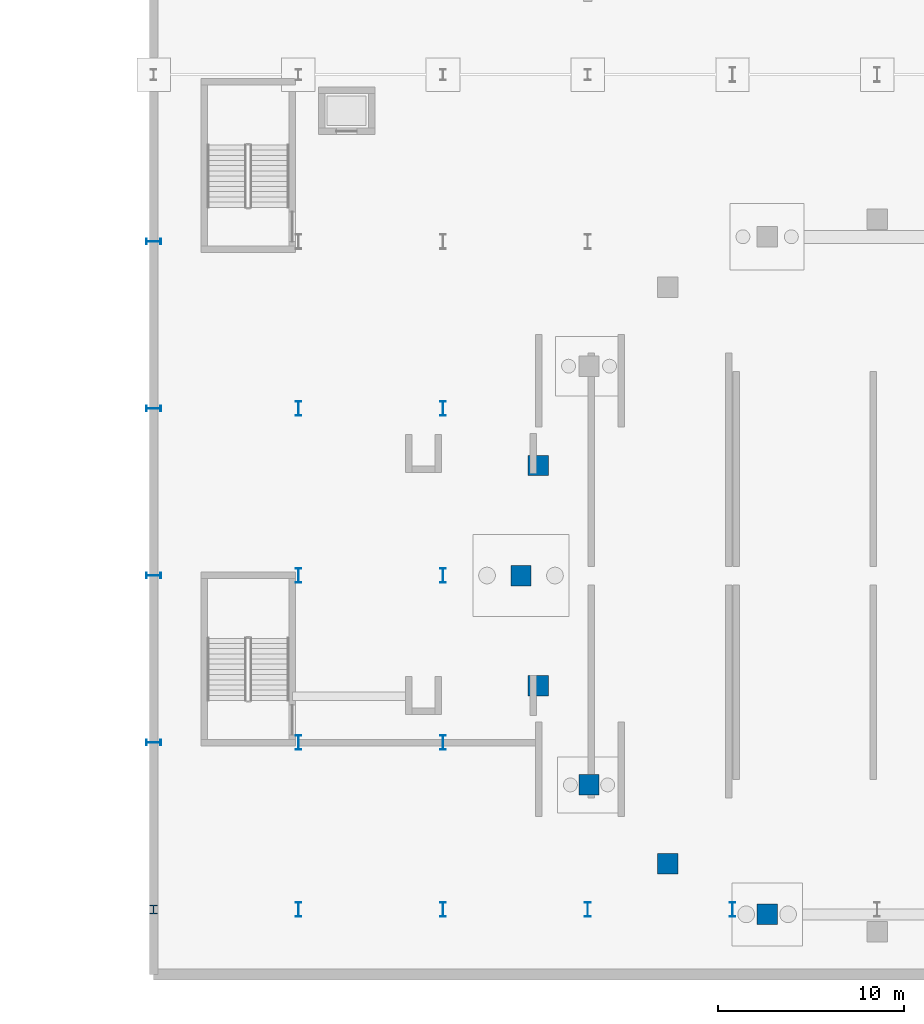
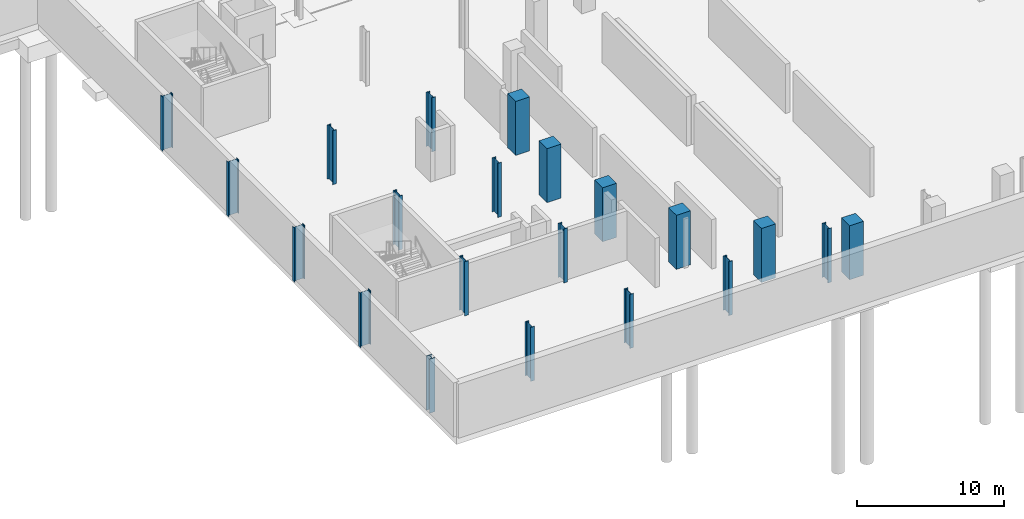
# One storey, part 4 of 45: 21 columns.
"""IFC4 building model written with IfcOpenShell, lengths in metres."""

from ifc_helpers import new_model, si_unit, direction, frame, origin, origin_2d, place, context, subcontext, project, spatial, rectangle, i_section, extrude, material, material_profile, profile_set, type_object, element, save


model = new_model("IFC4")

# Units and contexts
model_context = context("Model", 3, precision=1e-05, world=origin(), true_north=direction((0.0, 1.0)))
body_context = subcontext(model_context, "Body", "Model", "MODEL_VIEW")
ifc_project = project(units=[si_unit("LENGTHUNIT", "METRE"), si_unit("AREAUNIT", "SQUARE_METRE"), si_unit("VOLUMEUNIT", "CUBIC_METRE"), si_unit("PLANEANGLEUNIT", "RADIAN"), si_unit("MASSUNIT", "GRAM", prefix="KILO")], contexts=[model_context])

# Site, building, storey
site_placement = place(None, origin())
site = spatial("IfcSite", under=ifc_project, at=site_placement, CompositionType="ELEMENT")
building_placement = place(site_placement, origin())
building = spatial("IfcBuilding", under=site, at=building_placement, Name="Sefraquen Railside Congress Hotel", CompositionType="ELEMENT")
storey_placement = place(building_placement, frame((0.0, 0.0, -4.5)))
storey = spatial("IfcBuildingStorey", under=building, at=storey_placement, Name="B01", CompositionType="ELEMENT", Elevation=-4.5)

# Columns
ifc_material_1 = material(Name="Steel S355J2", Category="steel")
ifc_material_profile_1 = material_profile(ifc_material_1, i_section(OverallWidth=0.424072265625, OverallDepth=0.47412109375, WebThickness=0.044921875, FlangeThickness=0.054931640625, FilletRadius=0.014892578125, at=origin_2d()), Name="HD 400x634")
ifc_profile_set_1 = profile_set([ifc_material_profile_1], Name="Steel S355J2")
column_type_1 = type_object("IfcColumnType", Name="TC-HD-634", PredefinedType="COLUMN", material=ifc_profile_set_1)
column_placement = place(storey_placement, frame((25.199951171875, 9.0, 0.0), z_axis=(0.0, 0.0, 1.0), x_axis=(1.0, 0.0, 0.0)))
element("IfcColumn", 1, at=column_placement, inside=storey, type_object=column_type_1, Name="Structural column 4-B B01", PredefinedType="COLUMN", context=body_context, shape_type="SweptSolid", body=[
    extrude(i_section(OverallWidth=0.424072265625, OverallDepth=0.47412109375, WebThickness=0.044921875, FlangeThickness=0.054931640625, FilletRadius=0.014892578125, at=origin_2d()), origin(), (0.0, 0.0, 1.0), 4.5),
])
ifc_material_2 = material(Name="Steel S355JR", Category="steel")
ifc_material_profile_2 = material_profile(ifc_material_2, i_section(OverallWidth=0.300048828125, OverallDepth=0.800048828125, WebThickness=0.017578125, FlangeThickness=0.032958984375, FilletRadius=0.030029296875, at=origin_2d()), Name="HEB 800")
ifc_profile_set_2 = profile_set([ifc_material_profile_2], Name="Steel S355JR")
column_type_2 = type_object("IfcColumnType", Name="TC-HEB-800", PredefinedType="COLUMN", material=ifc_profile_set_2)
for number, where, z_axis, x_axis, name in (
    (2, (33.0, 9.0, 0.0), (0.0, 0.0, 1.0), (1.0, 0.0, 0.0), "Structural column 5-B B01"),
    (3, (40.800048828125, 9.0, 0.0), (0.0, 0.0, 1.0), (1.0, 0.0, 0.0), "Structural column 6-B B01"),
    (4, (48.60009765625, 9.0, 0.0), (0.0, 0.0, 1.0), (1.0, 0.0, 0.0), "Structural column 7-B B01"),
    (5, (56.39990234375, 9.0, 0.0), (0.0, 0.0, 1.0), (1.0, 0.0, 0.0), "Structural column 8-B B01"),
    (6, (25.199951171875, 18.0, 0.0), (0.0, 0.0, 1.0), (0.0, 1.0, 0.0), "Structural column 4-C B01"),
    (7, (25.199951171875, 27.0, 0.0), (0.0, 0.0, 1.0), (0.0, 1.0, 0.0), "Structural column 4-D B01"),
    (8, (25.199951171875, 36.0, 0.0), (0.0, 0.0, 1.0), (0.0, 1.0, 0.0), "Structural column 4-E B01"),
    (9, (25.199951171875, 45.0, 0.0), (0.0, 0.0, 1.0), (0.0, 1.0, 0.0), "Structural column 4-F B01"),
    (10, (33.0, 18.0, 0.0), (0.0, 0.0, 1.0), (1.0, 0.0, 0.0), "Structural column 5-C B01"),
    (11, (33.0, 27.0, 0.0), (0.0, 0.0, 1.0), (1.0, 0.0, 0.0), "Structural column 5-D B01"),
    (12, (33.0, 36.0, 0.0), (0.0, 0.0, 1.0), (1.0, 0.0, 0.0), "Structural column 5-E B01"),
    (13, (40.800048828125, 18.0, 0.0), (0.0, 0.0, 1.0), (1.0, 0.0, 0.0), "Structural column 6-C B01"),
    (14, (40.800048828125, 27.0, 0.0), (0.0, 0.0, 1.0), (1.0, 0.0, 0.0), "Structural column 6-D B01"),
    (15, (40.800048828125, 36.0, 0.0), (0.0, 0.0, 1.0), (1.0, 0.0, 0.0), "Structural column 6-E B01"),
):
    element("IfcColumn", number, at=place(storey_placement, frame(where, z_axis=z_axis, x_axis=x_axis)), inside=storey, type_object=column_type_2, Name=name, PredefinedType="COLUMN", context=body_context, shape_type="SweptSolid", body=[
        extrude(i_section(OverallWidth=0.300048828125, OverallDepth=0.800048828125, WebThickness=0.017578125, FlangeThickness=0.032958984375, FilletRadius=0.030029296875, at=origin_2d()), origin(), (0.0, 0.0, 1.0), 4.5),
    ])
ifc_material_3 = material(Name="Concrete C50/60", Category="concrete")
ifc_material_profile_3 = material_profile(ifc_material_3, rectangle(XDim=1.10009765625, YDim=1.10009765625, at=origin_2d()), Name="RC 1100x1100")
ifc_profile_set_3 = profile_set([ifc_material_profile_3], Name="Concrete C50/60")
column_type_3 = type_object("IfcColumnType", Name="TC-RC-1100", PredefinedType="COLUMN", material=ifc_profile_set_3)
for number, where, z_axis, x_axis, name in (
    (16, (45.939697265625, 32.93310546875, 0.0), (0.0, 0.0, 1.0), (1.0, 0.0, 0.0), "Structural column DRM-10 B01"),
    (17, (45.0, 27.0, 0.0), (0.0, 0.0, 1.0), (1.0, 0.0, 0.0), "Structural column DRM-11 B01"),
    (18, (45.939697265625, 21.06689453125, 0.0), (0.0, 0.0, 1.0), (1.0, 0.0, 0.0), "Structural column DRM-12 B01"),
    (19, (48.6669921875, 15.714599609375, 0.0), (0.0, 0.0, 1.0), (1.0, 0.0, 0.0), "Structural column DRM-13 B01"),
    (20, (52.91455078125, 11.466796875, 0.0), (0.0, 0.0, 1.0), (1.0, 0.0, 0.0), "Structural column DRM-14 B01"),
    (21, (58.266845703125, 8.73974609375, 0.0), (0.0, 0.0, 1.0), (1.0, 0.0, 0.0), "Structural column DRM-15 B01"),
):
    element("IfcColumn", number, at=place(storey_placement, frame(where, z_axis=z_axis, x_axis=x_axis)), inside=storey, type_object=column_type_3, Name=name, PredefinedType="COLUMN", context=body_context, shape_type="SweptSolid", body=[
        extrude(rectangle(XDim=1.10009765625, YDim=1.10009765625, at=origin_2d()), origin(), (0.0, 0.0, 1.0), 4.5),
    ])

save(model, "model.ifc")
